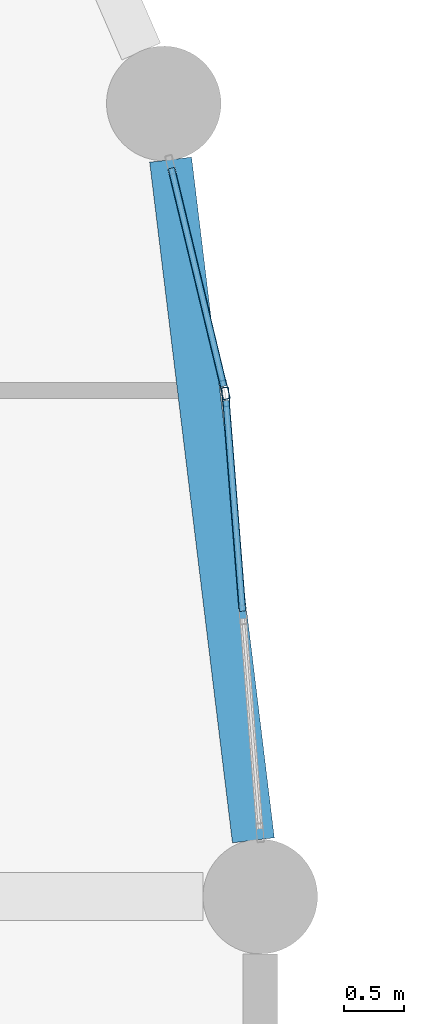
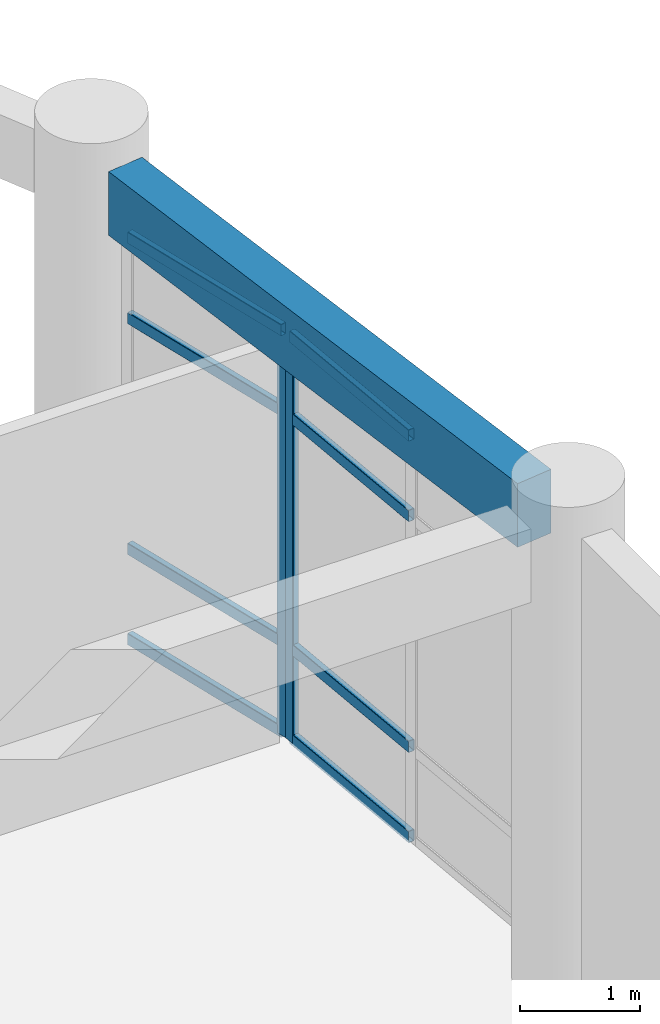
# One storey, part 80 of 120: 10 members, 1 beam, 2 elements without a shape of their own.
"""IFC4 building model written with IfcOpenShell, lengths in metres."""

from ifc_helpers import new_model, si_unit, derived_unit, direction, frame, origin, origin_2d, place, context, subcontext, project, spatial, rectangle, hollow_rectangle, extrude, material, layer, layer_set, material_profile, profile_set, type_object, element, aggregate, save


model = new_model("IFC4")

# Units and contexts
model_context = context("Model", 3, precision=1e-05, world=origin(), true_north=direction((0.0, 1.0)))
body_context = subcontext(model_context, "Body", "Model", "MODEL_VIEW")
ifc_project = project(units=[si_unit("LENGTHUNIT", "METRE"), si_unit("AREAUNIT", "SQUARE_METRE"), si_unit("VOLUMEUNIT", "CUBIC_METRE"), si_unit("PLANEANGLEUNIT", "RADIAN"), si_unit("MASSUNIT", "GRAM", prefix="KILO"), derived_unit("THERMALTRANSMITTANCEUNIT", [(si_unit("MASSUNIT", "GRAM", prefix="KILO"), 1), (si_unit("TIMEUNIT", "SECOND"), -3), (si_unit("THERMODYNAMICTEMPERATUREUNIT", "KELVIN"), -1)])], contexts=[model_context])

# Site, building, storey
site_placement = place(None, origin())
site = spatial("IfcSite", under=ifc_project, at=site_placement, CompositionType="ELEMENT")
building_placement = place(site_placement, origin())
building = spatial("IfcBuilding", under=site, at=building_placement, Name="Qinzheling Arcade Emporium", CompositionType="ELEMENT")
storey_placement = place(building_placement, frame((0.0, 0.0, 11.39990234375)))
storey = spatial("IfcBuildingStorey", under=building, at=storey_placement, Name="L03", CompositionType="ELEMENT", Elevation=11.39990234375)

# Curtain wall, member
ifc_material_1 = material(Name="Anodised aluminium and solar-control double glazing", Category="aluminium")
ifc_layer = layer(ifc_material_1, 0.159912109375, Name="Anodised aluminium and solar-control double glazing", Category="aluminium")
ifc_layer_set = layer_set([ifc_layer], Name="Anodised aluminium and solar-control double glazing")
curtain_wall_type = type_object("IfcCurtainWallType", Name="Curved Ribbon Sales Curtain Wall", PredefinedType="NOTDEFINED", material=ifc_layer_set)
curtain_wall_1_placement = place(storey_placement, origin())
curtain_wall_1 = element("IfcCurtainWall", 1, at=curtain_wall_1_placement, inside=storey, type_object=curtain_wall_type, Name="Curtain Wall CW-L03-190", PredefinedType="NOTDEFINED")
ifc_material_2 = material(Name="Anodised aluminium 6063-T6", Category="aluminium")
ifc_material_profile_1 = material_profile(ifc_material_2, hollow_rectangle(XDim=0.06005859375, YDim=0.159912109375, WallThickness=0.00390625, InnerFilletRadius=0.00390625, OuterFilletRadius=0.008056640625, at=origin_2d()), Name="RHS 160x60x4", Category="aluminium")
ifc_profile_set_1 = profile_set([ifc_material_profile_1], Name="Anodised aluminium 6063-T6")
member_type_1 = type_object("IfcMemberType", Name="Curtain Wall Mullion RHS160x60", PredefinedType="MULLION", material=ifc_profile_set_1)
member_1_placement = place(storey_placement, frame((147.60400390625, 94.80517578125, 0.0), z_axis=(0.0, 0.0, 1.0), x_axis=(0.972327728237, 0.233621036939, 0.0)))
member_1 = element("IfcMember", 2, at=member_1_placement, type_object=member_type_1, Name="CW02 mullion 2", PredefinedType="MULLION", context=body_context, shape_type="SweptSolid", body=[
    extrude(hollow_rectangle(XDim=0.06005859375, YDim=0.159912109375, WallThickness=0.00390625, InnerFilletRadius=0.00390625, OuterFilletRadius=0.008056640625, at=origin_2d()), origin(), (0.0, 0.0, 1.0), 4.155029296875),
])

curtain_wall_2_placement = place(storey_placement, origin())
curtain_wall_2 = element("IfcCurtainWall", 3, at=curtain_wall_2_placement, inside=storey, type_object=curtain_wall_type, Name="Curtain Wall CW-L03-191", PredefinedType="NOTDEFINED")
member_2_placement = place(storey_placement, frame((147.61328125, 94.74609375, 0.0), z_axis=(0.0, 0.0, 1.0), x_axis=(0.996923852542, 0.078376222365, 0.0)))
member_2 = element("IfcMember", 4, at=member_2_placement, type_object=member_type_1, Name="CW02 mullion 1", PredefinedType="MULLION", context=body_context, shape_type="SweptSolid", body=[
    extrude(hollow_rectangle(XDim=0.06005859375, YDim=0.159912109375, WallThickness=0.00390625, InnerFilletRadius=0.00390625, OuterFilletRadius=0.008056640625, at=origin_2d()), origin(), (0.0, 0.0, 1.0), 4.155029296875),
])

# Member
ifc_material_profile_2 = material_profile(ifc_material_2, hollow_rectangle(XDim=0.06005859375, YDim=0.1201171875, WallThickness=0.00390625, InnerFilletRadius=0.00390625, OuterFilletRadius=0.008056640625, at=origin_2d()), Name="RHS 120x60x4", Category="aluminium")
ifc_profile_set_2 = profile_set([ifc_material_profile_2], Name="Anodised aluminium 6063-T6")
member_type_2 = type_object("IfcMemberType", Name="Curtain Wall Transom RHS120x60", PredefinedType="USERDEFINED", material=ifc_profile_set_2)
member_3_placement = place(storey_placement, frame((147.162109375, 96.644775390625, 0.030029296875), z_axis=(0.233516760452, -0.972352776819, 0.0), x_axis=(0.972352776819, 0.233516760452, 0.0)))
member_3 = element("IfcMember", 5, at=member_3_placement, type_object=member_type_2, Name="CW02 transom 1.1", ObjectType="TRANSOM", PredefinedType="USERDEFINED", context=body_context, shape_type="SweptSolid", body=[
    extrude(hollow_rectangle(XDim=0.06005859375, YDim=0.1201171875, WallThickness=0.00390625, InnerFilletRadius=0.00390625, OuterFilletRadius=0.008056640625, at=origin_2d()), origin(), (0.0, 0.0, 1.0), 1.862060546875),
])

member_4_placement = place(storey_placement, frame((147.162109375, 96.644775390625, 0.9501953125), z_axis=(0.233516760452, -0.972352776819, 0.0), x_axis=(0.972352776819, 0.233516760452, 0.0)))
member_4 = element("IfcMember", 6, at=member_4_placement, type_object=member_type_2, Name="CW02 transom 1.2", ObjectType="TRANSOM", PredefinedType="USERDEFINED", context=body_context, shape_type="SweptSolid", body=[
    extrude(hollow_rectangle(XDim=0.06005859375, YDim=0.1201171875, WallThickness=0.00390625, InnerFilletRadius=0.00390625, OuterFilletRadius=0.008056640625, at=origin_2d()), origin(), (0.0, 0.0, 1.0), 1.862060546875),
])

member_5_placement = place(storey_placement, frame((147.162109375, 96.644775390625, 3.30517578125), z_axis=(0.233516760452, -0.972352776819, 0.0), x_axis=(0.972352776819, 0.233516760452, 0.0)))
member_5 = element("IfcMember", 7, at=member_5_placement, type_object=member_type_2, Name="CW02 transom 1.3", ObjectType="TRANSOM", PredefinedType="USERDEFINED", context=body_context, shape_type="SweptSolid", body=[
    extrude(hollow_rectangle(XDim=0.06005859375, YDim=0.1201171875, WallThickness=0.00390625, InnerFilletRadius=0.00390625, OuterFilletRadius=0.008056640625, at=origin_2d()), origin(), (0.0, 0.0, 1.0), 1.862060546875),
])

member_6_placement = place(storey_placement, frame((147.162109375, 96.644775390625, 4.125), z_axis=(0.233516760452, -0.972352776819, 0.0), x_axis=(0.972352776819, 0.233516760452, 0.0)))
member_6 = element("IfcMember", 8, at=member_6_placement, type_object=member_type_2, Name="CW02 transom 1.4", ObjectType="TRANSOM", PredefinedType="USERDEFINED", context=body_context, shape_type="SweptSolid", body=[
    extrude(hollow_rectangle(XDim=0.06005859375, YDim=0.1201171875, WallThickness=0.00390625, InnerFilletRadius=0.00390625, OuterFilletRadius=0.008056640625, at=origin_2d()), origin(), (0.0, 0.0, 1.0), 1.862060546875),
])

aggregate(curtain_wall_1, [member_1, member_3, member_4, member_5, member_6])

member_7_placement = place(storey_placement, frame((147.61572265625, 94.716064453125, 0.030029296875), z_axis=(0.078389322499, -0.996922822549, 0.0), x_axis=(0.996922822549, 0.078389322499, 0.0)))
member_7 = element("IfcMember", 9, at=member_7_placement, type_object=member_type_2, Name="CW02 transom 1.1", ObjectType="TRANSOM", PredefinedType="USERDEFINED", context=body_context, shape_type="SweptSolid", body=[
    extrude(hollow_rectangle(XDim=0.06005859375, YDim=0.1201171875, WallThickness=0.00390625, InnerFilletRadius=0.00390625, OuterFilletRadius=0.008056640625, at=origin_2d()), origin(), (0.0, 0.0, 1.0), 1.75341796875),
])

member_8_placement = place(storey_placement, frame((147.61572265625, 94.716064453125, 0.9501953125), z_axis=(0.078389322499, -0.996922822549, 0.0), x_axis=(0.996922822549, 0.078389322499, 0.0)))
member_8 = element("IfcMember", 10, at=member_8_placement, type_object=member_type_2, Name="CW02 transom 1.2", ObjectType="TRANSOM", PredefinedType="USERDEFINED", context=body_context, shape_type="SweptSolid", body=[
    extrude(hollow_rectangle(XDim=0.06005859375, YDim=0.1201171875, WallThickness=0.00390625, InnerFilletRadius=0.00390625, OuterFilletRadius=0.008056640625, at=origin_2d()), origin(), (0.0, 0.0, 1.0), 1.75341796875),
])

member_9_placement = place(storey_placement, frame((147.61572265625, 94.716064453125, 3.30517578125), z_axis=(0.078389322499, -0.996922822549, 0.0), x_axis=(0.996922822549, 0.078389322499, 0.0)))
member_9 = element("IfcMember", 11, at=member_9_placement, type_object=member_type_2, Name="CW02 transom 1.3", ObjectType="TRANSOM", PredefinedType="USERDEFINED", context=body_context, shape_type="SweptSolid", body=[
    extrude(hollow_rectangle(XDim=0.06005859375, YDim=0.1201171875, WallThickness=0.00390625, InnerFilletRadius=0.00390625, OuterFilletRadius=0.008056640625, at=origin_2d()), origin(), (0.0, 0.0, 1.0), 1.75341796875),
])

member_10_placement = place(storey_placement, frame((147.61572265625, 94.716064453125, 4.125), z_axis=(0.078389322499, -0.996922822549, 0.0), x_axis=(0.996922822549, 0.078389322499, 0.0)))
member_10 = element("IfcMember", 12, at=member_10_placement, type_object=member_type_2, Name="CW02 transom 1.4", ObjectType="TRANSOM", PredefinedType="USERDEFINED", context=body_context, shape_type="SweptSolid", body=[
    extrude(hollow_rectangle(XDim=0.06005859375, YDim=0.1201171875, WallThickness=0.00390625, InnerFilletRadius=0.00390625, OuterFilletRadius=0.008056640625, at=origin_2d()), origin(), (0.0, 0.0, 1.0), 1.75341796875),
])

aggregate(curtain_wall_2, [member_2, member_7, member_8, member_9, member_10])

# Beam
ifc_material_3 = material(Name="Concrete C40", Category="concrete")
ifc_material_profile_3 = material_profile(ifc_material_3, rectangle(XDim=0.35009765625, YDim=0.64990234375, at=origin_2d()), Name="RC 350x650", Category="concrete")
ifc_profile_set_3 = profile_set([ifc_material_profile_3], Name="Concrete C40")
beam_type = type_object("IfcBeamType", Name="RC Spandrel Edge Beam 350x650 C40", PredefinedType="SPANDREL", material=ifc_profile_set_3)
beam_placement = place(storey_placement, frame((147.843017578125, 91.06689453125, 4.4951171875), z_axis=(-0.120743975831, 0.992683681895, 0.0), x_axis=(-0.992683681895, -0.120743975831, 0.0)))
element("IfcBeam", 13, at=beam_placement, inside=storey, type_object=beam_type, Name="Curved Arcade Spandrel BM-L03-CV6-B01", PredefinedType="SPANDREL", context=body_context, shape_type="SweptSolid", body=[
    extrude(rectangle(XDim=0.35009765625, YDim=0.64990234375, at=origin_2d()), origin(), (0.0, 0.0, 1.0), 5.68994140625),
])

save(model, "model.ifc")
